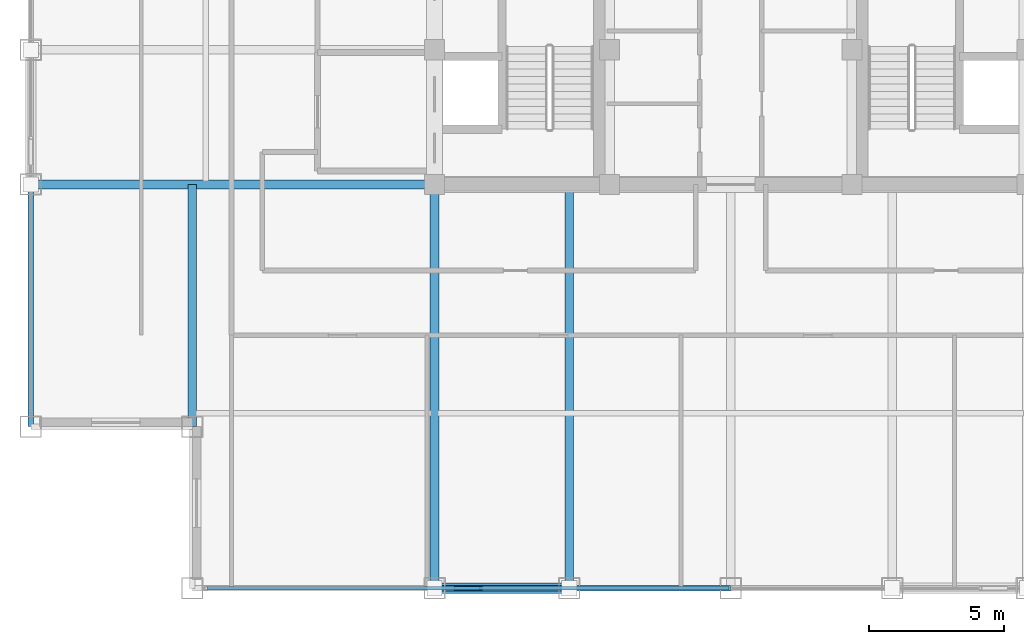
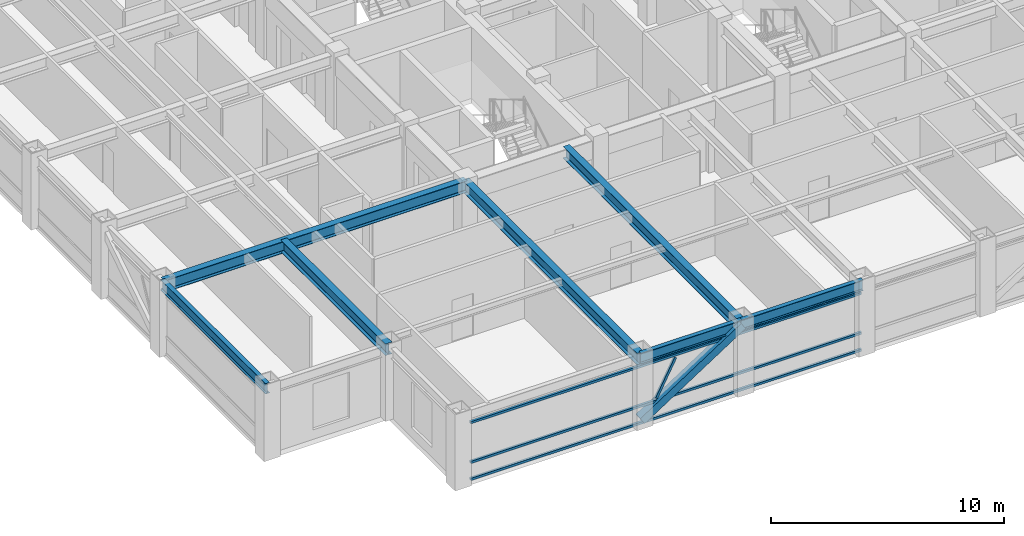
# One storey, part 3 of 28: 7 beams, 5 members, 1 element without a shape of its own.
"""IFC4 building model written with IfcOpenShell, lengths in metres."""

from ifc_helpers import new_model, si_unit, direction, frame, origin, origin_2d, place, context, subcontext, project, spatial, hollow_rectangle, i_section, extrude, source, transform, mapped, material, material_profile, profile_set, type_object, element, aggregate, save


model = new_model("IFC4")

# Units and contexts
model_context = context("Model", 3, precision=1e-05, world=origin(), true_north=direction((0.0, 1.0)))
body_context = subcontext(model_context, "Body", "Model", "MODEL_VIEW")
ifc_project = project(units=[si_unit("LENGTHUNIT", "METRE"), si_unit("AREAUNIT", "SQUARE_METRE"), si_unit("VOLUMEUNIT", "CUBIC_METRE"), si_unit("PLANEANGLEUNIT", "RADIAN"), si_unit("MASSUNIT", "GRAM", prefix="KILO")], contexts=[model_context])

# Site, building, storey
site_placement = place(None, origin())
site = spatial("IfcSite", under=ifc_project, at=site_placement, CompositionType="ELEMENT")
building_placement = place(site_placement, origin())
building = spatial("IfcBuilding", under=site, at=building_placement, Name="Khorayat Bourse Tower", CompositionType="ELEMENT")
storey_placement = place(building_placement, frame((0.0, 0.0, 334.300048828125)))
storey = spatial("IfcBuildingStorey", under=building, at=storey_placement, Name="L79", CompositionType="ELEMENT", Elevation=334.300048828125)

# Beams
ifc_material_1 = material(Name="Steel ASTM A992 Grade 50", Category="steel")
ifc_material_profile_1 = material_profile(ifc_material_1, i_section(OverallWidth=0.214111328125, OverallDepth=0.549072265625, WebThickness=0.0146484375, FlangeThickness=0.023681640625, FilletRadius=0.013916015625, at=origin_2d()), Name="W530X138")
ifc_profile_set_1 = profile_set([ifc_material_profile_1], Name="Steel ASTM A992 Grade 50")
beam_type_1 = type_object("IfcBeamType", Name="BM-SPAN-530", PredefinedType="SPANDREL", material=ifc_profile_set_1)
shared_shape_1 = source(origin(), body_context, "Body", "SweptSolid", [
    extrude(i_section(OverallWidth=0.214111328125, OverallDepth=0.549072265625, WebThickness=0.0146484375, FlangeThickness=0.023681640625, FilletRadius=0.013916015625, at=origin_2d()), origin(), (0.0, 0.0, 1.0), 9.0),
])
beam_1_placement = place(storey_placement, frame((-26.0, -20.0, 3.46533203125), z_axis=(0.0, 1.0, 0.0), x_axis=(-1.0, 0.0, 0.0)))
element("IfcBeam", 1, at=beam_1_placement, inside=storey, type_object=beam_type_1, Name="L79 BM-SPAN-530 BM-L79-SPN-053", PredefinedType="SPANDREL", context=body_context, shape_type="MappedRepresentation", body=[
    mapped(shared_shape_1, transform((0.0, 0.0, 0.0), scale=1.0)),
])
shared_shape_2 = source(origin(), body_context, "Body", "SweptSolid", [
    extrude(i_section(OverallWidth=0.214111328125, OverallDepth=0.549072265625, WebThickness=0.0146484375, FlangeThickness=0.023681640625, FilletRadius=0.013916015625, at=origin_2d()), origin(), (0.0, 0.0, 1.0), 5.0),
])
beam_2_placement = place(storey_placement, frame((-11.0, -26.0, 3.46533203125), z_axis=(1.0, 0.0, 0.0), x_axis=(0.0, 1.0, 0.0)))
element("IfcBeam", 2, at=beam_2_placement, inside=storey, type_object=beam_type_1, Name="L79 BM-SPAN-530 BM-L79-SPN-025", PredefinedType="SPANDREL", context=body_context, shape_type="MappedRepresentation", body=[
    mapped(shared_shape_2, transform((0.0, 0.0, 0.0), scale=1.0)),
])
shared_shape_3 = source(origin(), body_context, "Body", "SweptSolid", [
    extrude(i_section(OverallWidth=0.214111328125, OverallDepth=0.549072265625, WebThickness=0.0146484375, FlangeThickness=0.023681640625, FilletRadius=0.013916015625, at=origin_2d()), origin(), (0.0, 0.0, 1.0), 6.0),
])
beam_3_placement = place(storey_placement, frame((-6.0, -26.0, 3.46533203125), z_axis=(1.0, 0.0, 0.0), x_axis=(0.0, 1.0, 0.0)))
element("IfcBeam", 3, at=beam_3_placement, inside=storey, type_object=beam_type_1, Name="L79 BM-SPAN-530 BM-L79-SPN-026", PredefinedType="SPANDREL", context=body_context, shape_type="MappedRepresentation", body=[
    mapped(shared_shape_3, transform((0.0, 0.0, 0.0), scale=1.0)),
])
ifc_material_profile_2 = material_profile(ifc_material_1, i_section(OverallWidth=0.324951171875, OverallDepth=0.615966796875, WebThickness=0.013916015625, FlangeThickness=0.021484375, FilletRadius=0.01611328125, at=origin_2d()), Name="W610X174")
ifc_profile_set_2 = profile_set([ifc_material_profile_2], Name="Steel ASTM A992 Grade 50")
beam_type_2 = type_object("IfcBeamType", Name="BM-GIRD-610", PredefinedType="BEAM", material=ifc_profile_set_2)
shared_shape_4 = source(origin(), body_context, "Body", "SweptSolid", [
    extrude(i_section(OverallWidth=0.324951171875, OverallDepth=0.615966796875, WebThickness=0.013916015625, FlangeThickness=0.021484375, FilletRadius=0.01611328125, at=origin_2d()), origin(), (0.0, 0.0, 1.0), 15.0),
])
for number, where, z_axis, x_axis, name in (
    (4, (-11.0, -26.0, 3.431884765625), (0.0, 1.0, 0.0), (-1.0, 0.0, 0.0), "L79 BM-GIRD-610 BM-L79-RADY-057"),
    (5, (-6.0, -26.0, 3.431884765625), (0.0, 1.0, 0.0), (-1.0, 0.0, 0.0), "L79 BM-GIRD-610 BM-L79-RADY-059"),
    (6, (-26.0, -11.0, 3.431884765625), (1.0, 0.0, 0.0), (0.0, 1.0, 0.0), "L79 BM-GIRD-610 BM-L79-RADX-067"),
):
    element("IfcBeam", number, at=place(storey_placement, frame(where, z_axis=z_axis, x_axis=x_axis)), inside=storey, type_object=beam_type_2, Name=name, PredefinedType="BEAM", context=body_context, shape_type="MappedRepresentation", body=[
        mapped(shared_shape_4, transform((0.0, 0.0, 0.0), scale=1.0)),
    ])
shared_shape_5 = source(origin(), body_context, "Body", "SweptSolid", [
    extrude(i_section(OverallWidth=0.324951171875, OverallDepth=0.615966796875, WebThickness=0.013916015625, FlangeThickness=0.021484375, FilletRadius=0.01611328125, at=origin_2d()), origin(), (0.0, 0.0, 1.0), 9.0),
])
beam_4_placement = place(storey_placement, frame((-20.0, -20.0, 3.431884765625), z_axis=(0.0, 1.0, 0.0), x_axis=(-1.0, 0.0, 0.0)))
element("IfcBeam", 7, at=beam_4_placement, inside=storey, type_object=beam_type_2, Name="L79 BM-GIRD-610 BM-L79-CNRY-076", PredefinedType="BEAM", context=body_context, shape_type="MappedRepresentation", body=[
    mapped(shared_shape_5, transform((0.0, 0.0, 0.0), scale=1.0)),
])

# Member
ifc_material_2 = material(Name="Steel EN 10025-4 S460M", Category="steel")
ifc_material_profile_3 = material_profile(ifc_material_2, hollow_rectangle(XDim=0.39990234375, YDim=0.39990234375, WallThickness=0.02197265625, at=origin_2d()), Name="HSS 400x400x22")
ifc_profile_set_3 = profile_set([ifc_material_profile_3], Name="Steel EN 10025-4 S460M")
member_type_1 = type_object("IfcMemberType", Name="MBR-TUBE-400", PredefinedType="BRACE", material=ifc_profile_set_3)
shared_shape_6 = source(origin(), body_context, "Body", "SweptSolid", [
    extrude(hollow_rectangle(XDim=0.39990234375, YDim=0.39990234375, WallThickness=0.02197265625, at=origin_2d()), origin(), (0.0, 0.0, 1.0), 5.9580078125),
])
member_1_placement = place(storey_placement, frame((-11.0, -26.0, 0.25), z_axis=(0.839210474455, 0.0, 0.543806748364), x_axis=(0.0, 1.0, 0.0)))
element("IfcMember", 8, at=member_1_placement, inside=storey, type_object=member_type_1, Name="L79 Perimeter Tube Brace 01", PredefinedType="BRACE", context=body_context, shape_type="MappedRepresentation", body=[
    mapped(shared_shape_6, transform((0.0, 0.0, 0.0), scale=1.0)),
])

# Curtain wall, members
ifc_material_3 = material(Name="Aluminium EN AW-6063 T6", Category="aluminium")
curtain_wall_type = type_object("IfcCurtainWallType", Name="CW-SYS-04", PredefinedType="NOTDEFINED", material=ifc_material_3)
curtain_wall_placement = place(storey_placement, origin())
curtain_wall = element("IfcCurtainWall", 9, at=curtain_wall_placement, inside=storey, type_object=curtain_wall_type, Name="L79 Curtain Wall CW-L79-S1", PredefinedType="NOTDEFINED")
ifc_material_profile_4 = material_profile(ifc_material_3, hollow_rectangle(XDim=0.1201171875, YDim=0.1201171875, WallThickness=0.0048828125, at=origin_2d()), Name="ALU 120x120x5")
ifc_profile_set_4 = profile_set([ifc_material_profile_4], Name="Aluminium EN AW-6063 T6")
member_type_2 = type_object("IfcMemberType", Name="CWM-DIAG-120", PredefinedType="MULLION", material=ifc_profile_set_4)
shared_shape_7 = source(origin(), body_context, "Body", "SweptSolid", [
    extrude(hollow_rectangle(XDim=0.1201171875, YDim=0.1201171875, WallThickness=0.0048828125, at=origin_2d()), origin(), (0.0, 0.0, 1.0), 2.0341796875),
])
member_2_placement = place(storey_placement, frame((-10.21875, -26.0, 1.08984375), z_axis=(0.465790950955, 0.0, 0.884894790361), x_axis=(0.0, 1.0, 0.0)))
member_2 = element("IfcMember", 10, at=member_2_placement, type_object=member_type_2, Name="CW-L79-S1 Faceted Diagonal Mullion 1", PredefinedType="MULLION", context=body_context, shape_type="MappedRepresentation", body=[
    mapped(shared_shape_7, transform((0.0, 0.0, 0.0), scale=1.0)),
])
ifc_material_profile_5 = material_profile(ifc_material_3, hollow_rectangle(XDim=0.1201171875, YDim=0.1201171875, WallThickness=0.0048828125, at=origin_2d()), Name="ALU 120x120x5")
ifc_profile_set_5 = profile_set([ifc_material_profile_5], Name="Aluminium EN AW-6063 T6")
member_type_3 = type_object("IfcMemberType", Name="CWT-HORZ-120", PredefinedType="USERDEFINED", material=ifc_profile_set_5)
shared_shape_8 = source(origin(), body_context, "Body", "SweptSolid", [
    extrude(hollow_rectangle(XDim=0.1201171875, YDim=0.1201171875, WallThickness=0.0048828125, at=origin_2d()), origin(), (0.0, 0.0, 1.0), 19.369873046875),
])
member_3_placement = place(storey_placement, frame((-19.429931640625, -26.0, 0.06005859375), z_axis=(1.0, 0.0, 0.0), x_axis=(0.0, 1.0, 0.0)))
member_3 = element("IfcMember", 11, at=member_3_placement, type_object=member_type_3, Name="CW-L79-S1 Horizontal Transom 1-1", ObjectType="TRANSOM", PredefinedType="USERDEFINED", context=body_context, shape_type="MappedRepresentation", body=[
    mapped(shared_shape_8, transform((0.0, 0.0, 0.0), scale=1.0)),
])
member_4_placement = place(storey_placement, frame((-19.429931640625, -26.0, 0.949951171875), z_axis=(1.0, 0.0, 0.0), x_axis=(0.0, 1.0, 0.0)))
member_4 = element("IfcMember", 12, at=member_4_placement, type_object=member_type_3, Name="CW-L79-S1 Horizontal Transom 1-2", ObjectType="TRANSOM", PredefinedType="USERDEFINED", context=body_context, shape_type="MappedRepresentation", body=[
    mapped(shared_shape_8, transform((0.0, 0.0, 0.0), scale=1.0)),
])
member_5_placement = place(storey_placement, frame((-19.429931640625, -26.0, 3.030029296875), z_axis=(1.0, 0.0, 0.0), x_axis=(0.0, 1.0, 0.0)))
member_5 = element("IfcMember", 13, at=member_5_placement, type_object=member_type_3, Name="CW-L79-S1 Horizontal Transom 1-3", ObjectType="TRANSOM", PredefinedType="USERDEFINED", context=body_context, shape_type="MappedRepresentation", body=[
    mapped(shared_shape_8, transform((0.0, 0.0, 0.0), scale=1.0)),
])
aggregate(curtain_wall, [member_3, member_4, member_5, member_2])

save(model, "model.ifc")
